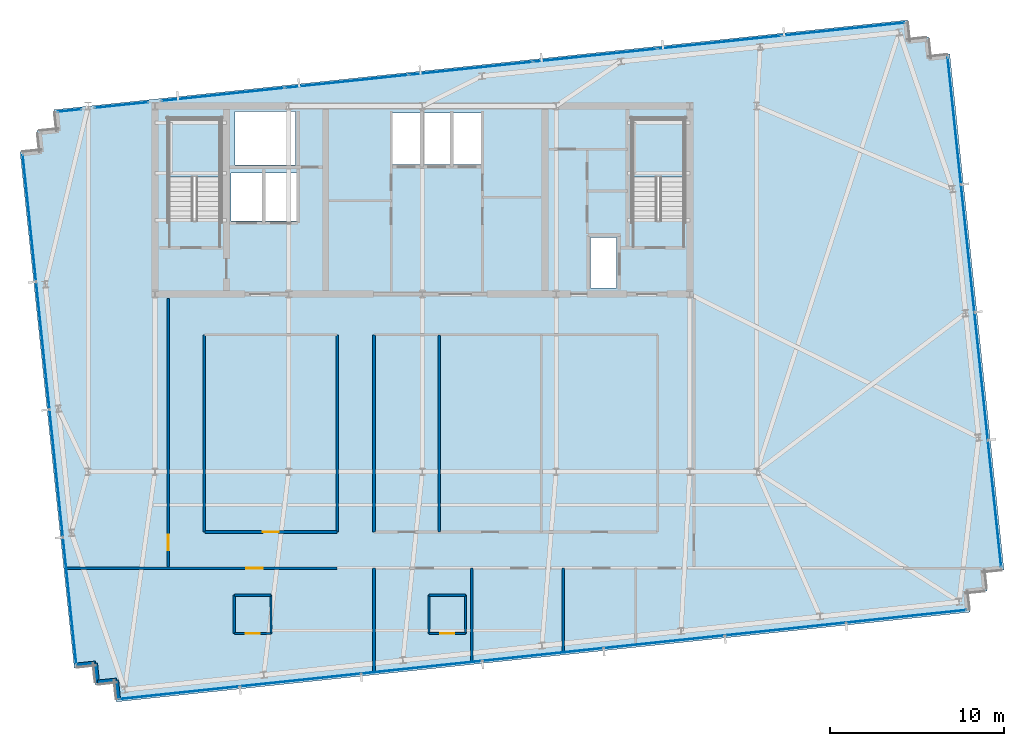
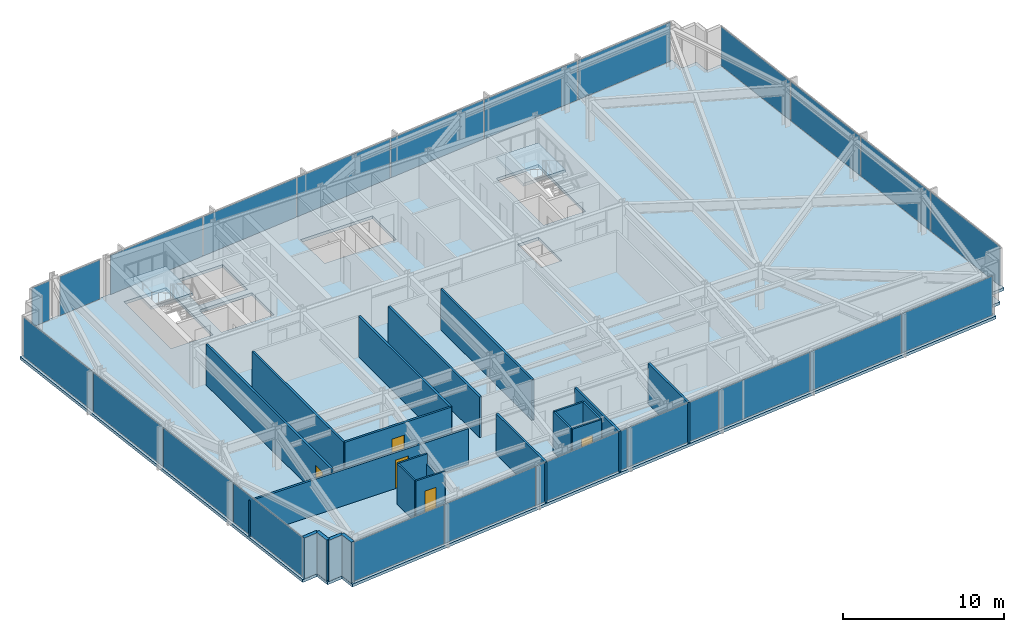
# One storey, part 26 of 32: 23 plates, 22 walls, 5 doors, 3 slabs, 5 openings, 8 elements without a shape of their own.
"""IFC4 building model written with IfcOpenShell, lengths in metres."""

from ifc_helpers import new_model, si_unit, direction, frame, frame_2d, origin, origin_2d, place, context, subcontext, project, spatial, polyline, rectangle, outline, extrude, material, layer, layer_set, type_object, element, fill, aggregate, save


model = new_model("IFC4")

# Units and contexts
model_context = context("Model", 3, precision=1e-05, world=origin(), true_north=direction((0.0, 1.0)))
body_context = subcontext(model_context, "Body", "Model", "MODEL_VIEW")
ifc_project = project(units=[si_unit("LENGTHUNIT", "METRE"), si_unit("AREAUNIT", "SQUARE_METRE"), si_unit("VOLUMEUNIT", "CUBIC_METRE"), si_unit("PLANEANGLEUNIT", "RADIAN"), si_unit("MASSUNIT", "GRAM", prefix="KILO")], contexts=[model_context])

# Site, building, storey
site_placement = place(None, origin())
site = spatial("IfcSite", under=ifc_project, at=site_placement, CompositionType="ELEMENT")
building_placement = place(site_placement, origin())
building = spatial("IfcBuilding", under=site, at=building_placement, Name="Yelkora Congress Tower", CompositionType="ELEMENT")
storey_placement = place(building_placement, frame((0.0, 0.0, 214.39990234375)))
storey = spatial("IfcBuildingStorey", under=building, at=storey_placement, Name="L59", CompositionType="ELEMENT", Elevation=214.39990234375)

# Curtain wall, plates
ifc_material_1 = material(Name="Anodised aluminium and insulated glass", Category="aluminium")
curtain_wall_type = type_object("IfcCurtainWallType", Name="CW-SYS-B4", PredefinedType="NOTDEFINED", material=ifc_material_1)
curtain_wall_1_placement = place(storey_placement, origin())
curtain_wall_1 = element("IfcCurtainWall", 1, at=curtain_wall_1_placement, inside=storey, type_object=curtain_wall_type, Name="L59 Unitised Curtain Wall 5", PredefinedType="NOTDEFINED")
ifc_material_2 = material(Name="Triple-silver diplomatic glass unit B4", Category="glass")
ifc_layer_1 = layer(ifc_material_2, 0.035888671875)
ifc_layer_set_1 = layer_set([ifc_layer_1], Name="Triple-silver diplomatic glass unit B4")
plate_type = type_object("IfcPlateType", Name="PLT-PN-B4", PredefinedType="CURTAIN_PANEL", material=ifc_layer_set_1)
plate_1_placement = place(storey_placement, frame((18.139404296875, 17.7724609375, 0.06005859375), z_axis=(0.0, 0.0, 1.0), x_axis=(-0.104526079034, 0.994522145958, 0.0)))
plate_1 = element("IfcPlate", 2, at=plate_1_placement, type_object=plate_type, Name="CW-B4 panel 1.1", PredefinedType="CURTAIN_PANEL", context=body_context, shape_type="SweptSolid", body=[
    extrude(rectangle(XDim=7.282470703125, YDim=0.035888671875, at=origin_2d()), origin(), (0.0, 0.0, 1.0), 2.9599609375),
])
plate_2_placement = place(storey_placement, frame((17.36962890625, 25.095703125, 0.06005859375), z_axis=(0.0, 0.0, 1.0), x_axis=(-0.104526079034, 0.994522145958, 0.0)))
plate_2 = element("IfcPlate", 3, at=plate_2_placement, type_object=plate_type, Name="CW-B4 panel 2.1", PredefinedType="CURTAIN_PANEL", context=body_context, shape_type="SweptSolid", body=[
    extrude(rectangle(XDim=7.31494140625, YDim=0.035888671875, at=origin_2d()), origin(), (0.0, 0.0, 1.0), 2.9599609375),
])
plate_3_placement = place(storey_placement, frame((16.59814453125, 32.435302734375, 0.06005859375), z_axis=(0.0, 0.0, 1.0), x_axis=(-0.104526079034, 0.994522145958, 0.0)))
plate_3 = element("IfcPlate", 4, at=plate_3_placement, type_object=plate_type, Name="CW-B4 panel 3.1", PredefinedType="CURTAIN_PANEL", context=body_context, shape_type="SweptSolid", body=[
    extrude(rectangle(XDim=7.31494140625, YDim=0.035888671875, at=origin_2d()), origin(), (0.0, 0.0, 1.0), 2.9599609375),
])
plate_4_placement = place(storey_placement, frame((15.82861328125, 39.7587890625, 0.06005859375), z_axis=(0.0, 0.0, 1.0), x_axis=(-0.104526079034, 0.994522145958, 0.0)))
plate_4 = element("IfcPlate", 5, at=plate_4_placement, type_object=plate_type, Name="CW-B4 panel 4.1", PredefinedType="CURTAIN_PANEL", context=body_context, shape_type="SweptSolid", body=[
    extrude(rectangle(XDim=7.282470703125, YDim=0.035888671875, at=origin_2d()), origin(), (0.0, 0.0, 1.0), 2.9599609375),
])
aggregate(curtain_wall_1, [plate_1, plate_2, plate_3, plate_4])

# Curtain wall, plate
curtain_wall_2_placement = place(storey_placement, origin())
curtain_wall_2 = element("IfcCurtainWall", 6, at=curtain_wall_2_placement, inside=storey, type_object=curtain_wall_type, Name="L59 Unitised Curtain Wall 10 (1)", PredefinedType="NOTDEFINED")
plate_5_placement = place(storey_placement, frame((18.136474609375, 45.940185546875, 0.06005859375), z_axis=(0.0, 0.0, 1.0), x_axis=(0.994523910137, 0.104509292244, 0.0)))
plate_5 = element("IfcPlate", 7, at=plate_5_placement, type_object=plate_type, Name="CW-B4 panel 1.1", PredefinedType="CURTAIN_PANEL", context=body_context, shape_type="SweptSolid", body=[
    extrude(rectangle(XDim=1.35302734375, YDim=0.035888671875, at=origin_2d()), origin(), (0.0, 0.0, 1.0), 2.9599609375),
])
aggregate(curtain_wall_2, [plate_5])

curtain_wall_3_placement = place(storey_placement, origin())
curtain_wall_3 = element("IfcCurtainWall", 8, at=curtain_wall_3_placement, inside=storey, type_object=curtain_wall_type, Name="L59 Unitised Curtain Wall 10 (2)", PredefinedType="NOTDEFINED")
plate_6_placement = place(storey_placement, frame((21.1201171875, 46.253662109375, 0.06005859375), z_axis=(0.0, 0.0, 1.0), x_axis=(0.994524239868, 0.104506154437, 0.0)))
plate_6 = element("IfcPlate", 9, at=plate_6_placement, type_object=plate_type, Name="CW-B4 panel 1.1", PredefinedType="CURTAIN_PANEL", context=body_context, shape_type="SweptSolid", body=[
    extrude(rectangle(XDim=3.075439453125, YDim=0.035888671875, at=origin_2d()), origin(), (0.0, 0.0, 1.0), 2.9599609375),
])
aggregate(curtain_wall_3, [plate_6])

# Curtain wall, plates
curtain_wall_4_placement = place(storey_placement, origin())
curtain_wall_4 = element("IfcCurtainWall", 10, at=curtain_wall_4_placement, inside=storey, type_object=curtain_wall_type, Name="L59 Unitised Curtain Wall 10 (3)", PredefinedType="NOTDEFINED")
plate_7_placement = place(storey_placement, frame((26.947509765625, 46.8662109375, 0.06005859375), z_axis=(0.0, 0.0, 1.0), x_axis=(0.994521973066, 0.104527724021, 0.0)))
plate_7 = element("IfcPlate", 11, at=plate_7_placement, type_object=plate_type, Name="CW-B4 panel 1.1", PredefinedType="CURTAIN_PANEL", context=body_context, shape_type="SweptSolid", body=[
    extrude(rectangle(XDim=7.072509765625, YDim=0.035888671875, at=origin_2d()), origin(), (0.0, 0.0, 1.0), 2.9599609375),
])
plate_8_placement = place(storey_placement, frame((34.06201171875, 47.614013671875, 0.06005859375), z_axis=(0.0, 0.0, 1.0), x_axis=(0.994521973066, 0.104527724021, 0.0)))
plate_8 = element("IfcPlate", 12, at=plate_8_placement, type_object=plate_type, Name="CW-B4 panel 2.1", PredefinedType="CURTAIN_PANEL", context=body_context, shape_type="SweptSolid", body=[
    extrude(rectangle(XDim=7.10498046875, YDim=0.035888671875, at=origin_2d()), origin(), (0.0, 0.0, 1.0), 2.9599609375),
])
plate_9_placement = place(storey_placement, frame((41.19287109375, 48.363525390625, 0.06005859375), z_axis=(0.0, 0.0, 1.0), x_axis=(0.994521973066, 0.104527724021, 0.0)))
plate_9 = element("IfcPlate", 13, at=plate_9_placement, type_object=plate_type, Name="CW-B4 panel 3.1", PredefinedType="CURTAIN_PANEL", context=body_context, shape_type="SweptSolid", body=[
    extrude(rectangle(XDim=7.10498046875, YDim=0.035888671875, at=origin_2d()), origin(), (0.0, 0.0, 1.0), 2.9599609375),
])
plate_10_placement = place(storey_placement, frame((48.32373046875, 49.113037109375, 0.06005859375), z_axis=(0.0, 0.0, 1.0), x_axis=(0.994521973066, 0.104527724021, 0.0)))
plate_10 = element("IfcPlate", 14, at=plate_10_placement, type_object=plate_type, Name="CW-B4 panel 4.1", PredefinedType="CURTAIN_PANEL", context=body_context, shape_type="SweptSolid", body=[
    extrude(rectangle(XDim=7.10498046875, YDim=0.035888671875, at=origin_2d()), origin(), (0.0, 0.0, 1.0), 2.9599609375),
])
plate_11_placement = place(storey_placement, frame((55.454345703125, 49.8623046875, 0.06005859375), z_axis=(0.0, 0.0, 1.0), x_axis=(0.994521973066, 0.104527724021, 0.0)))
plate_11 = element("IfcPlate", 15, at=plate_11_placement, type_object=plate_type, Name="CW-B4 panel 5.1", PredefinedType="CURTAIN_PANEL", context=body_context, shape_type="SweptSolid", body=[
    extrude(rectangle(XDim=7.10498046875, YDim=0.035888671875, at=origin_2d()), origin(), (0.0, 0.0, 1.0), 2.9599609375),
])
plate_12_placement = place(storey_placement, frame((62.56884765625, 50.610107421875, 0.06005859375), z_axis=(0.0, 0.0, 1.0), x_axis=(0.994521973066, 0.104527724021, 0.0)))
plate_12 = element("IfcPlate", 16, at=plate_12_placement, type_object=plate_type, Name="CW-B4 panel 6.1", PredefinedType="CURTAIN_PANEL", context=body_context, shape_type="SweptSolid", body=[
    extrude(rectangle(XDim=7.072509765625, YDim=0.035888671875, at=origin_2d()), origin(), (0.0, 0.0, 1.0), 2.9599609375),
])
aggregate(curtain_wall_4, [plate_7, plate_8, plate_9, plate_10, plate_11, plate_12])

curtain_wall_5_placement = place(storey_placement, origin())
curtain_wall_5 = element("IfcCurtainWall", 17, at=curtain_wall_5_placement, inside=storey, type_object=curtain_wall_type, Name="L59 Unitised Curtain Wall 15", PredefinedType="NOTDEFINED")
plate_13_placement = place(storey_placement, frame((68.955810546875, 45.3427734375, 0.06005859375), z_axis=(0.0, 0.0, 1.0), x_axis=(0.104525726898, -0.994522182968, 0.0)))
plate_13 = element("IfcPlate", 18, at=plate_13_placement, type_object=plate_type, Name="CW-B4 panel 1.1", PredefinedType="CURTAIN_PANEL", context=body_context, shape_type="SweptSolid", body=[
    extrude(rectangle(XDim=7.282470703125, YDim=0.035888671875, at=origin_2d()), origin(), (0.0, 0.0, 1.0), 2.9599609375),
])
plate_14_placement = place(storey_placement, frame((69.7255859375, 38.019287109375, 0.06005859375), z_axis=(0.0, 0.0, 1.0), x_axis=(0.104525726898, -0.994522182968, 0.0)))
plate_14 = element("IfcPlate", 19, at=plate_14_placement, type_object=plate_type, Name="CW-B4 panel 2.1", PredefinedType="CURTAIN_PANEL", context=body_context, shape_type="SweptSolid", body=[
    extrude(rectangle(XDim=7.31494140625, YDim=0.035888671875, at=origin_2d()), origin(), (0.0, 0.0, 1.0), 2.9599609375),
])
plate_15_placement = place(storey_placement, frame((70.496826171875, 30.6796875, 0.06005859375), z_axis=(0.0, 0.0, 1.0), x_axis=(0.104525726898, -0.994522182968, 0.0)))
plate_15 = element("IfcPlate", 20, at=plate_15_placement, type_object=plate_type, Name="CW-B4 panel 3.1", PredefinedType="CURTAIN_PANEL", context=body_context, shape_type="SweptSolid", body=[
    extrude(rectangle(XDim=7.31494140625, YDim=0.035888671875, at=origin_2d()), origin(), (0.0, 0.0, 1.0), 2.9599609375),
])
plate_16_placement = place(storey_placement, frame((71.2666015625, 23.356201171875, 0.06005859375), z_axis=(0.0, 0.0, 1.0), x_axis=(0.104525726898, -0.994522182968, 0.0)))
plate_16 = element("IfcPlate", 21, at=plate_16_placement, type_object=plate_type, Name="CW-B4 panel 4.1", PredefinedType="CURTAIN_PANEL", context=body_context, shape_type="SweptSolid", body=[
    extrude(rectangle(XDim=7.282470703125, YDim=0.035888671875, at=origin_2d()), origin(), (0.0, 0.0, 1.0), 2.9599609375),
])
aggregate(curtain_wall_5, [plate_13, plate_14, plate_15, plate_16])

curtain_wall_6_placement = place(storey_placement, origin())
curtain_wall_6 = element("IfcCurtainWall", 22, at=curtain_wall_6_placement, inside=storey, type_object=curtain_wall_type, Name="L59 Unitised Curtain Wall 20", PredefinedType="NOTDEFINED")
plate_17_placement = place(storey_placement, frame((66.19775390625, 16.884765625, 0.06005859375), z_axis=(0.0, 0.0, 1.0), x_axis=(-0.994522084373, -0.104526664994, 0.0)))
plate_17 = element("IfcPlate", 23, at=plate_17_placement, type_object=plate_type, Name="CW-B4 panel 1.1", PredefinedType="CURTAIN_PANEL", context=body_context, shape_type="SweptSolid", body=[
    extrude(rectangle(XDim=6.9052734375, YDim=0.035888671875, at=origin_2d()), origin(), (0.0, 0.0, 1.0), 2.9599609375),
])
plate_18_placement = place(storey_placement, frame((59.249267578125, 16.154541015625, 0.06005859375), z_axis=(0.0, 0.0, 1.0), x_axis=(-0.994522084373, -0.104526664994, 0.0)))
plate_18 = element("IfcPlate", 24, at=plate_18_placement, type_object=plate_type, Name="CW-B4 panel 2.1", PredefinedType="CURTAIN_PANEL", context=body_context, shape_type="SweptSolid", body=[
    extrude(rectangle(XDim=6.937744140625, YDim=0.035888671875, at=origin_2d()), origin(), (0.0, 0.0, 1.0), 2.9599609375),
])
plate_19_placement = place(storey_placement, frame((52.284912109375, 15.42236328125, 0.06005859375), z_axis=(0.0, 0.0, 1.0), x_axis=(-0.994522084373, -0.104526664994, 0.0)))
plate_19 = element("IfcPlate", 25, at=plate_19_placement, type_object=plate_type, Name="CW-B4 panel 3.1", PredefinedType="CURTAIN_PANEL", context=body_context, shape_type="SweptSolid", body=[
    extrude(rectangle(XDim=6.937744140625, YDim=0.035888671875, at=origin_2d()), origin(), (0.0, 0.0, 1.0), 2.9599609375),
])
plate_20_placement = place(storey_placement, frame((45.3203125, 14.6904296875, 0.06005859375), z_axis=(0.0, 0.0, 1.0), x_axis=(-0.994522084373, -0.104526664994, 0.0)))
plate_20 = element("IfcPlate", 26, at=plate_20_placement, type_object=plate_type, Name="CW-B4 panel 4.1", PredefinedType="CURTAIN_PANEL", context=body_context, shape_type="SweptSolid", body=[
    extrude(rectangle(XDim=6.937744140625, YDim=0.035888671875, at=origin_2d()), origin(), (0.0, 0.0, 1.0), 2.9599609375),
])
plate_21_placement = place(storey_placement, frame((38.35595703125, 13.95849609375, 0.06005859375), z_axis=(0.0, 0.0, 1.0), x_axis=(-0.994522084373, -0.104526664994, 0.0)))
plate_21 = element("IfcPlate", 27, at=plate_21_placement, type_object=plate_type, Name="CW-B4 panel 5.1", PredefinedType="CURTAIN_PANEL", context=body_context, shape_type="SweptSolid", body=[
    extrude(rectangle(XDim=6.937744140625, YDim=0.035888671875, at=origin_2d()), origin(), (0.0, 0.0, 1.0), 2.9599609375),
])
plate_22_placement = place(storey_placement, frame((31.391357421875, 13.2265625, 0.06005859375), z_axis=(0.0, 0.0, 1.0), x_axis=(-0.994522084373, -0.104526664994, 0.0)))
plate_22 = element("IfcPlate", 28, at=plate_22_placement, type_object=plate_type, Name="CW-B4 panel 6.1", PredefinedType="CURTAIN_PANEL", context=body_context, shape_type="SweptSolid", body=[
    extrude(rectangle(XDim=6.937744140625, YDim=0.035888671875, at=origin_2d()), origin(), (0.0, 0.0, 1.0), 2.9599609375),
])
plate_23_placement = place(storey_placement, frame((24.443115234375, 12.49609375, 0.06005859375), z_axis=(0.0, 0.0, 1.0), x_axis=(-0.994522084373, -0.104526664994, 0.0)))
plate_23 = element("IfcPlate", 29, at=plate_23_placement, type_object=plate_type, Name="CW-B4 panel 7.1", PredefinedType="CURTAIN_PANEL", context=body_context, shape_type="SweptSolid", body=[
    extrude(rectangle(XDim=6.9052734375, YDim=0.035888671875, at=origin_2d()), origin(), (0.0, 0.0, 1.0), 2.9599609375),
])
aggregate(curtain_wall_6, [plate_17, plate_18, plate_19, plate_20, plate_21, plate_22, plate_23])

# Stair, slab
ifc_material_3 = material(Name="Concrete C40/50", Category="concrete")
stair_type = type_object("IfcStairType", Name="STAIR-HT-1420-R20-165", PredefinedType="HALF_TURN_STAIR", material=ifc_material_3)
stair_1_placement = place(storey_placement, origin())
stair_1 = element("IfcStair", 30, at=stair_1_placement, inside=storey, type_object=stair_type, Name="West Core Protected Exit Stair ST-01 (L59)", PredefinedType="HALF_TURN_STAIR")
ifc_layer_2 = layer(ifc_material_3, 0.219970703125)
ifc_layer_set_2 = layer_set([ifc_layer_2], Name="Concrete C40/50")
slab_type_1 = type_object("IfcSlabType", Name="SLAB-LANDING-220", PredefinedType="LANDING", material=ifc_layer_set_2)
slab_1_placement = place(storey_placement, frame((0.0, 0.0, 1.43017578125)))
slab_1 = element("IfcSlab", 31, at=slab_1_placement, type_object=slab_type_1, Name="ST-01 L59 Half Landing 1", PredefinedType="LANDING", context=body_context, shape_type="SweptSolid", body=[
    extrude(outline(polyline([(26.820068359375, 42.1201171875), (26.820068359375, 45.469970703125), (23.820068359375, 45.469970703125), (23.820068359375, 42.1201171875), (26.820068359375, 42.1201171875)])), origin(), (0.0, 0.0, 1.0), 0.219970703125),
])
aggregate(stair_1, [slab_1])

stair_2_placement = place(storey_placement, origin())
stair_2 = element("IfcStair", 32, at=stair_2_placement, inside=storey, type_object=stair_type, Name="East Core Protected Exit Stair ST-02 (L59)", PredefinedType="HALF_TURN_STAIR")
slab_2_placement = place(storey_placement, frame((0.0, 0.0, 1.43017578125)))
slab_2 = element("IfcSlab", 33, at=slab_2_placement, type_object=slab_type_1, Name="ST-02 L59 Half Landing 1", PredefinedType="LANDING", context=body_context, shape_type="SweptSolid", body=[
    extrude(outline(polyline([(53.4599609375, 42.1201171875), (53.4599609375, 45.469970703125), (50.4599609375, 45.469970703125), (50.4599609375, 42.1201171875), (53.4599609375, 42.1201171875)])), origin(), (0.0, 0.0, 1.0), 0.219970703125),
])
aggregate(stair_2, [slab_2])

# Slab
ifc_layer_3 = layer(ifc_material_3, 0.219970703125)
ifc_layer_set_3 = layer_set([ifc_layer_3], Name="Concrete C40/50")
slab_type_2 = type_object("IfcSlabType", Name="SLAB-TWR-220", PredefinedType="FLOOR", material=ifc_layer_set_3)
slab_3_placement = place(storey_placement, frame((0.0, 0.0, -0.219970703125)))
element("IfcSlab", 34, at=slab_3_placement, inside=storey, type_object=slab_type_2, Name="L59 Structural Floor Slab", PredefinedType="FLOOR", context=body_context, shape_type="SweptSolid", body=[
    extrude(outline(polyline([(20.820068359375, 11.974609375), (69.85009765625, 17.127685546875), (69.735107421875, 18.2216796875), (70.828857421875, 18.3369140625), (70.714111328125, 19.430908203125), (71.807861328125, 19.545654296875), (68.693115234375, 49.1826171875), (67.59912109375, 49.0673828125), (67.48388671875, 50.16162109375), (66.39013671875, 50.04638671875), (66.275146484375, 51.140380859375), (17.2451171875, 45.9873046875), (17.360107421875, 44.893310546875), (16.26611328125, 44.7783203125), (16.381103515625, 43.684326171875), (15.287109375, 43.5693359375), (18.402099609375, 13.9326171875), (19.49609375, 14.047607421875), (19.611083984375, 12.95361328125), (20.705078125, 13.068603515625), (20.820068359375, 11.974609375)]), holes=[polyline([(23.820068359375, 39.6298828125), (26.820068359375, 39.6298828125), (26.820068359375, 45.469970703125), (23.820068359375, 45.469970703125), (23.820068359375, 39.6298828125)]), polyline([(50.4599609375, 39.6298828125), (53.4599609375, 39.6298828125), (53.4599609375, 45.469970703125), (50.4599609375, 45.469970703125), (50.4599609375, 39.6298828125)]), polyline([(48.050048828125, 35.75), (49.550048828125, 35.75), (49.550048828125, 38.64990234375), (48.050048828125, 38.64990234375), (48.050048828125, 35.75)]), polyline([(36.64990234375, 42.85009765625), (41.800048828125, 42.85009765625), (41.800048828125, 45.800048828125), (36.64990234375, 45.800048828125), (36.64990234375, 42.85009765625)]), polyline([(27.419921875, 39.60009765625), (31.179931640625, 39.60009765625), (31.179931640625, 42.35009765625), (27.419921875, 42.35009765625), (27.419921875, 39.60009765625)]), polyline([(27.64990234375, 42.820068359375), (31.1201171875, 42.820068359375), (31.1201171875, 45.8798828125), (27.64990234375, 45.8798828125), (27.64990234375, 42.820068359375)])]), origin(), (0.0, 0.0, 1.0), 0.219970703125),
])

# Walls
ifc_layer_4 = layer(ifc_material_3, 0.239990234375)
ifc_layer_set_4 = layer_set([ifc_layer_4], Name="Concrete C40/50")
wall_type_1 = type_object("IfcWallType", Name="WALL-EXT-LIMESTONE-240", PredefinedType="SOLIDWALL", material=ifc_layer_set_4)
for number, where, z_axis, x_axis, name in (
    (35, (20.944580078125, 12.12841796875, 0.0), (0.0, 0.0, 1.0), (-0.104534592565, 0.994521251134, 0.0), "L59 Serrated Corner Limestone Pier 1"),
    (36, (20.82958984375, 13.222412109375, 0.0), (0.0, 0.0, 1.0), (-0.994521251134, -0.104534592565, 0.0), "L59 Serrated Corner Limestone Pier 2"),
    (37, (19.735595703125, 13.107421875, 0.0), (0.0, 0.0, 1.0), (-0.104534592565, 0.994521251134, 0.0), "L59 Serrated Corner Limestone Pier 3"),
    (38, (19.62060546875, 14.201416015625, 0.0), (0.0, 0.0, 1.0), (-0.994521251134, -0.104534592565, 0.0), "L59 Serrated Corner Limestone Pier 4"),
):
    element("IfcWall", number, at=place(storey_placement, frame(where, z_axis=z_axis, x_axis=x_axis)), inside=storey, type_object=wall_type_1, Name=name, PredefinedType="SOLIDWALL", context=body_context, shape_type="SweptSolid", body=[
        extrude(rectangle(XDim=1.10009765625, YDim=0.239990234375, at=frame_2d((0.550048828125, 0.0))), origin(), (0.0, 0.0, 1.0), 3.080078125),
    ])
ifc_material_4 = material(Name="Moisture-resistant gypsum partition", Category="gypsum")
ifc_layer_5 = layer(ifc_material_4, 0.1201171875)
ifc_layer_set_5 = layer_set([ifc_layer_5], Name="Moisture-resistant gypsum partition")
wall_type_2 = type_object("IfcWallType", Name="WALL-INT-120-NR", PredefinedType="PARTITIONING", material=ifc_layer_set_5)
wall_1_placement = place(storey_placement, frame((27.594970703125, 18.10009765625, 0.0), z_axis=(0.0, 0.0, 1.0), x_axis=(1.0, 0.0, 0.0)))
element("IfcWall", 39, at=wall_1_placement, inside=storey, type_object=wall_type_2, Name="L59 Partition Wall 23", PredefinedType="PARTITIONING", context=body_context, shape_type="SweptSolid", body=[
    extrude(rectangle(XDim=2.10009765625, YDim=0.1201171875, at=frame_2d((1.050048828125, 0.0))), origin(), (0.0, 0.0, 1.0), 3.080078125),
])
wall_2_placement = place(storey_placement, frame((27.594970703125, 15.89990234375, 0.0), z_axis=(0.0, 0.0, 1.0), x_axis=(0.0, 1.0, 0.0)))
element("IfcWall", 40, at=wall_2_placement, inside=storey, type_object=wall_type_2, Name="L59 Partition Wall 24", PredefinedType="PARTITIONING", context=body_context, shape_type="SweptSolid", body=[
    extrude(rectangle(XDim=2.2001953125, YDim=0.1201171875, at=frame_2d((1.10009765625, 0.0))), origin(), (0.0, 0.0, 1.0), 3.080078125),
])
wall_3_placement = place(storey_placement, frame((29.695068359375, 15.89990234375, 0.0), z_axis=(0.0, 0.0, 1.0), x_axis=(0.0, 1.0, 0.0)))
element("IfcWall", 41, at=wall_3_placement, inside=storey, type_object=wall_type_2, Name="L59 Partition Wall 25", PredefinedType="PARTITIONING", context=body_context, shape_type="SweptSolid", body=[
    extrude(rectangle(XDim=2.2001953125, YDim=0.1201171875, at=frame_2d((1.10009765625, 0.0))), origin(), (0.0, 0.0, 1.0), 2.31298828125),
])

# Wall, opening, door
wall_4_placement = place(storey_placement, frame((27.594970703125, 15.89990234375, 0.0), z_axis=(0.0, 0.0, 1.0), x_axis=(1.0, 0.0, 0.0)))
wall_4 = element("IfcWall", 42, at=wall_4_placement, inside=storey, type_object=wall_type_2, Name="L59 Partition Wall 26", PredefinedType="PARTITIONING", context=body_context, shape_type="SweptSolid", body=[
    extrude(rectangle(XDim=2.10009765625, YDim=0.1201171875, at=frame_2d((1.050048828125, 0.0))), origin(), (0.0, 0.0, 1.0), 3.080078125),
])
opening_1_placement = place(wall_4_placement, frame((0.64990234375, 0.0, 0.0)))
opening_1 = element("IfcOpeningElement", 43, at=opening_1_placement, cuts=wall_4, Name="Opening DR-080B", PredefinedType="OPENING", context=body_context, shape_type="SweptSolid", body=[
    extrude(rectangle(XDim=0.800048828125, YDim=2.10009765625, at=frame_2d((0.39990234375, 1.050048828125))), frame((0.0, 0.070068359375, 0.0), z_axis=(0.0, -1.0, 0.0), x_axis=(1.0, 0.0, 0.0)), (0.0, 0.0, 1.0), 0.14013671875),
])
ifc_material_5 = material(Name="Moisture-sealed en-suite timber door", Category="wood")
door_type_1 = type_object("IfcDoorType", Name="DOOR-BATH-800", OperationType="NOTDEFINED", PredefinedType="DOOR", material=ifc_material_5)
door_1_placement = place(opening_1_placement, origin())
door_1 = element("IfcDoor", 44, at=door_1_placement, inside=storey, type_object=door_type_1, Name="L59 En-suite Door 1", OperationType="SINGLE_SWING_RIGHT", OverallHeight=2.10009765625, OverallWidth=0.800048828125, PredefinedType="DOOR", context=body_context, shape_type="SweptSolid", body=[
    extrude(rectangle(XDim=0.800048828125, YDim=2.10009765625, at=frame_2d((0.39990234375, 1.050048828125))), frame((0.0, 0.02490234375, 0.0), z_axis=(0.0, -1.0, 0.0), x_axis=(1.0, 0.0, 0.0)), (0.0, 0.0, 1.0), 0.050048828125),
])
fill(opening_1, door_1)

# Walls
wall_5_placement = place(storey_placement, frame((38.7880859375, 18.10009765625, 0.0), z_axis=(0.0, 0.0, 1.0), x_axis=(1.0, 0.0, 0.0)))
element("IfcWall", 45, at=wall_5_placement, inside=storey, type_object=wall_type_2, Name="L59 Partition Wall 27", PredefinedType="PARTITIONING", context=body_context, shape_type="SweptSolid", body=[
    extrude(rectangle(XDim=2.099853515625, YDim=0.1201171875, at=frame_2d((1.0498046875, 0.0))), origin(), (0.0, 0.0, 1.0), 3.080078125),
])
for number, where, z_axis, x_axis, name in (
    (46, (38.7880859375, 15.89990234375, 0.0), (0.0, 0.0, 1.0), (0.0, 1.0, 0.0), "L59 Partition Wall 28"),
    (47, (40.887939453125, 15.89990234375, 0.0), (0.0, 0.0, 1.0), (0.0, 1.0, 0.0), "L59 Partition Wall 29"),
):
    element("IfcWall", number, at=place(storey_placement, frame(where, z_axis=z_axis, x_axis=x_axis)), inside=storey, type_object=wall_type_2, Name=name, PredefinedType="PARTITIONING", context=body_context, shape_type="SweptSolid", body=[
        extrude(rectangle(XDim=2.2001953125, YDim=0.1201171875, at=frame_2d((1.10009765625, 0.0))), origin(), (0.0, 0.0, 1.0), 3.080078125),
    ])

# Wall, opening, door
wall_6_placement = place(storey_placement, frame((38.7880859375, 15.89990234375, 0.0), z_axis=(0.0, 0.0, 1.0), x_axis=(1.0, 0.0, 0.0)))
wall_6 = element("IfcWall", 48, at=wall_6_placement, inside=storey, type_object=wall_type_2, Name="L59 Partition Wall 30", PredefinedType="PARTITIONING", context=body_context, shape_type="SweptSolid", body=[
    extrude(rectangle(XDim=2.099853515625, YDim=0.1201171875, at=frame_2d((1.0498046875, 0.0))), origin(), (0.0, 0.0, 1.0), 3.080078125),
])
opening_2_placement = place(wall_6_placement, frame((0.64990234375, 0.0, 0.0)))
opening_2 = element("IfcOpeningElement", 49, at=opening_2_placement, cuts=wall_6, Name="Opening DR-080B", PredefinedType="OPENING", context=body_context, shape_type="SweptSolid", body=[
    extrude(rectangle(XDim=0.800048828125, YDim=2.10009765625, at=frame_2d((0.39990234375, 1.050048828125))), frame((0.0, 0.070068359375, 0.0), z_axis=(0.0, -1.0, 0.0), x_axis=(1.0, 0.0, 0.0)), (0.0, 0.0, 1.0), 0.14013671875),
])
door_2_placement = place(opening_2_placement, origin())
door_2 = element("IfcDoor", 50, at=door_2_placement, inside=storey, type_object=door_type_1, Name="L59 En-suite Door 3", OperationType="SINGLE_SWING_LEFT", OverallHeight=2.10009765625, OverallWidth=0.800048828125, PredefinedType="DOOR", context=body_context, shape_type="SweptSolid", body=[
    extrude(rectangle(XDim=0.800048828125, YDim=2.10009765625, at=frame_2d((0.39990234375, 1.050048828125))), frame((0.0, 0.02490234375, 0.0), z_axis=(0.0, -1.0, 0.0), x_axis=(1.0, 0.0, 0.0)), (0.0, 0.0, 1.0), 0.050048828125),
])
fill(opening_2, door_2)

ifc_material_6 = material(Name="Acoustic metal-stud gypsum partition", Category="gypsum")
ifc_layer_6 = layer(ifc_material_6, 0.14990234375)
ifc_layer_set_6 = layer_set([ifc_layer_6], Name="Acoustic metal-stud gypsum partition")
wall_type_3 = type_object("IfcWallType", Name="WALL-INT-150-NR", PredefinedType="PARTITIONING", material=ifc_layer_set_6)
wall_7_placement = place(storey_placement, frame((23.800048828125, 19.64990234375, 0.0), z_axis=(0.0, 0.0, 1.0), x_axis=(0.0, 1.0, 0.0)))
wall_7 = element("IfcWall", 51, at=wall_7_placement, inside=storey, type_object=wall_type_3, Name="L59 Partition Wall 37", PredefinedType="PARTITIONING", context=body_context, shape_type="SweptSolid", body=[
    extrude(rectangle(XDim=15.489990234375, YDim=0.14990234375, at=frame_2d((7.7451171875, 0.0))), origin(), (0.0, 0.0, 1.0), 3.080078125),
])
opening_3_placement = place(wall_7_placement, frame((1.030029296875, 0.0, 0.0)))
opening_3 = element("IfcOpeningElement", 52, at=opening_3_placement, cuts=wall_7, Name="Opening DR-090N", PredefinedType="OPENING", context=body_context, shape_type="SweptSolid", body=[
    extrude(rectangle(XDim=0.89990234375, YDim=2.14990234375, at=frame_2d((0.449951171875, 1.074951171875))), frame((0.0, 0.0849609375, 0.0), z_axis=(0.0, -1.0, 0.0), x_axis=(1.0, 0.0, 0.0)), (0.0, 0.0, 1.0), 0.169921875),
])
ifc_material_7 = material(Name="Moisture-resistant laminate door leaf", Category="wood")
door_type_2 = type_object("IfcDoorType", Name="DOOR-INT-900", OperationType="NOTDEFINED", PredefinedType="DOOR", material=ifc_material_7)
door_3_placement = place(opening_3_placement, origin())
door_3 = element("IfcDoor", 53, at=door_3_placement, inside=storey, type_object=door_type_2, Name="L59 W Wing Door", OperationType="SINGLE_SWING_LEFT", OverallHeight=2.14990234375, OverallWidth=0.89990234375, PredefinedType="DOOR", context=body_context, shape_type="SweptSolid", body=[
    extrude(rectangle(XDim=0.89990234375, YDim=2.14990234375, at=frame_2d((0.449951171875, 1.074951171875))), frame((0.0, 0.02490234375, 0.0), z_axis=(0.0, -1.0, 0.0), x_axis=(1.0, 0.0, 0.0)), (0.0, 0.0, 1.0), 0.050048828125),
])
fill(opening_3, door_3)

# Walls
for number, where, z_axis, x_axis, name in (
    (54, (25.8798828125, 21.72998046875, 0.0), (0.0, 0.0, 1.0), (0.0, 1.0, 0.0), "L59 Partition Wall 39"),
    (55, (33.5, 21.72998046875, 0.0), (0.0, 0.0, 1.0), (0.0, 1.0, 0.0), "L59 Partition Wall 41"),
    (56, (35.6201171875, 21.72998046875, 0.0), (0.0, 0.0, 1.0), (0.0, 1.0, 0.0), "L59 Partition Wall 42"),
):
    element("IfcWall", number, at=place(storey_placement, frame(where, z_axis=z_axis, x_axis=x_axis)), inside=storey, type_object=wall_type_3, Name=name, PredefinedType="PARTITIONING", context=body_context, shape_type="SweptSolid", body=[
        extrude(rectangle(XDim=11.320068359375, YDim=0.14990234375, at=frame_2d((5.66015625, 0.0))), origin(), (0.0, 0.0, 1.0), 3.080078125),
    ])

# Wall, opening, door
wall_8_placement = place(storey_placement, frame((25.89990234375, 21.72998046875, 0.0), z_axis=(0.0, 0.0, 1.0), x_axis=(1.0, 0.0, 0.0)))
wall_8 = element("IfcWall", 57, at=wall_8_placement, inside=storey, type_object=wall_type_3, Name="L59 Partition Wall 45", PredefinedType="PARTITIONING", context=body_context, shape_type="SweptSolid", body=[
    extrude(rectangle(XDim=7.590087890625, YDim=0.14990234375, at=frame_2d((3.794921875, 0.0))), origin(), (0.0, 0.0, 1.0), 3.080078125),
])
opening_4_placement = place(wall_8_placement, frame((3.344970703125, 0.0, 0.0)))
opening_4 = element("IfcOpeningElement", 58, at=opening_4_placement, cuts=wall_8, Name="Opening DR-090N", PredefinedType="OPENING", context=body_context, shape_type="SweptSolid", body=[
    extrude(rectangle(XDim=0.89990234375, YDim=2.14990234375, at=frame_2d((0.449951171875, 1.074951171875))), frame((0.0, 0.0849609375, 0.0), z_axis=(0.0, -1.0, 0.0), x_axis=(1.0, 0.0, 0.0)), (0.0, 0.0, 1.0), 0.169921875),
])
door_4_placement = place(opening_4_placement, origin())
door_4 = element("IfcDoor", 59, at=door_4_placement, inside=storey, type_object=door_type_2, Name="L59 Housekeeping & Linen Room Door", OperationType="SINGLE_SWING_LEFT", OverallHeight=2.14990234375, OverallWidth=0.89990234375, PredefinedType="DOOR", context=body_context, shape_type="SweptSolid", body=[
    extrude(rectangle(XDim=0.89990234375, YDim=2.14990234375, at=frame_2d((0.449951171875, 1.074951171875))), frame((0.0, 0.02490234375, 0.0), z_axis=(0.0, -1.0, 0.0), x_axis=(1.0, 0.0, 0.0)), (0.0, 0.0, 1.0), 0.050048828125),
])
fill(opening_4, door_4)

# Walls
wall_9_placement = place(storey_placement, frame((39.3720703125, 21.72998046875, 0.0), z_axis=(0.0, 0.0, 1.0), x_axis=(0.0, 1.0, 0.0)))
element("IfcWall", 60, at=wall_9_placement, inside=storey, type_object=wall_type_3, Name="L59 Partition Wall 46", PredefinedType="PARTITIONING", context=body_context, shape_type="SweptSolid", body=[
    extrude(rectangle(XDim=11.320068359375, YDim=0.14990234375, at=frame_2d((5.66015625, 0.0))), origin(), (0.0, 0.0, 1.0), 3.080078125),
])
ifc_material_8 = material(Name="Twin-stud fire-rated gypsum partition", Category="gypsum")
ifc_layer_7 = layer(ifc_material_8, 0.14990234375)
ifc_layer_set_7 = layer_set([ifc_layer_7], Name="Twin-stud fire-rated gypsum partition")
wall_type_4 = type_object("IfcWallType", Name="WALL-INT-150-R60", PredefinedType="PARTITIONING", material=ifc_layer_set_7)
wall_10_placement = place(storey_placement, frame((35.6201171875, 13.610595703125, 0.0), z_axis=(0.0, 0.0, 1.0), x_axis=(0.0, 1.0, 0.0)))
element("IfcWall", 61, at=wall_10_placement, inside=storey, type_object=wall_type_4, Name="L59 Partition Wall 31", PredefinedType="PARTITIONING", context=body_context, shape_type="SweptSolid", body=[
    extrude(rectangle(XDim=6.059326171875, YDim=0.14990234375, at=frame_2d((3.02978515625, 0.0))), origin(), (0.0, 0.0, 1.0), 3.080078125),
])
wall_11_placement = place(storey_placement, frame((41.238037109375, 14.200927734375, 0.0), z_axis=(0.0, 0.0, 1.0), x_axis=(0.0, 1.0, 0.0)))
element("IfcWall", 62, at=wall_11_placement, inside=storey, type_object=wall_type_4, Name="L59 Partition Wall 32", PredefinedType="PARTITIONING", context=body_context, shape_type="SweptSolid", body=[
    extrude(rectangle(XDim=5.468994140625, YDim=0.14990234375, at=frame_2d((2.734375, 0.0))), origin(), (0.0, 0.0, 1.0), 3.080078125),
])
wall_12_placement = place(storey_placement, frame((46.498046875, 14.75390625, 0.0), z_axis=(0.0, 0.0, 1.0), x_axis=(0.0, 1.0, 0.0)))
element("IfcWall", 63, at=wall_12_placement, inside=storey, type_object=wall_type_4, Name="L59 Partition Wall 33", PredefinedType="PARTITIONING", context=body_context, shape_type="SweptSolid", body=[
    extrude(rectangle(XDim=4.916015625, YDim=0.14990234375, at=frame_2d((2.4580078125, 0.0))), origin(), (0.0, 0.0, 1.0), 3.080078125),
])

# Wall, opening, door
wall_13_placement = place(storey_placement, frame((17.881591796875, 19.64990234375, 0.0), z_axis=(0.0, 0.0, 1.0), x_axis=(1.0, 0.0, 0.0)))
wall_13 = element("IfcWall", 64, at=wall_13_placement, inside=storey, type_object=wall_type_4, Name="L59 South Spine Wall West", PredefinedType="PARTITIONING", context=body_context, shape_type="SweptSolid", body=[
    extrude(rectangle(XDim=15.618408203125, YDim=0.14990234375, at=frame_2d((7.80908203125, 0.0))), origin(), (0.0, 0.0, 1.0), 2.715087890625),
])
opening_5_placement = place(wall_13_placement, frame((10.4033203125, 0.0, 0.0)))
opening_5 = element("IfcOpeningElement", 65, at=opening_5_placement, cuts=wall_13, Name="Opening DR-095F6", PredefinedType="OPENING", context=body_context, shape_type="SweptSolid", body=[
    extrude(rectangle(XDim=0.949951171875, YDim=2.14990234375, at=frame_2d((0.47509765625, 1.074951171875))), frame((0.0, 0.0849609375, 0.0), z_axis=(0.0, -1.0, 0.0), x_axis=(1.0, 0.0, 0.0)), (0.0, 0.0, 1.0), 0.169921875),
])
ifc_material_9 = material(Name="Acoustic oak-veneer fire door leaf", Category="wood")
door_type_3 = type_object("IfcDoorType", Name="DOOR-FD60-950", OperationType="NOTDEFINED", PredefinedType="DOOR", material=ifc_material_9)
door_5_placement = place(opening_5_placement, origin())
door_5 = element("IfcDoor", 66, at=door_5_placement, inside=storey, type_object=door_type_3, Name="L59 Diplomatic Suite 01 Entry Door", OperationType="SINGLE_SWING_RIGHT", OverallHeight=2.14990234375, OverallWidth=0.949951171875, PredefinedType="DOOR", context=body_context, shape_type="SweptSolid", body=[
    extrude(rectangle(XDim=0.949951171875, YDim=2.14990234375, at=frame_2d((0.47509765625, 1.074951171875))), frame((0.0, 0.02490234375, 0.0), z_axis=(0.0, -1.0, 0.0), x_axis=(1.0, 0.0, 0.0)), (0.0, 0.0, 1.0), 0.050048828125),
])
fill(opening_5, door_5)

save(model, "model.ifc")
